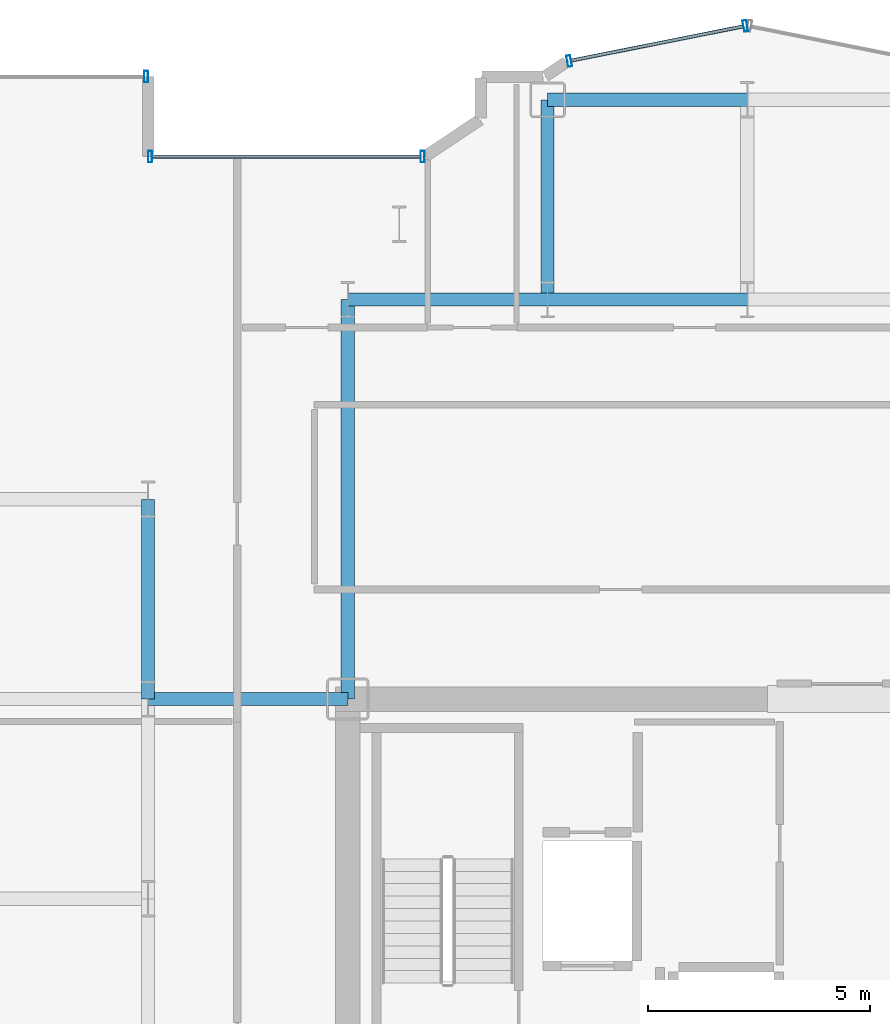
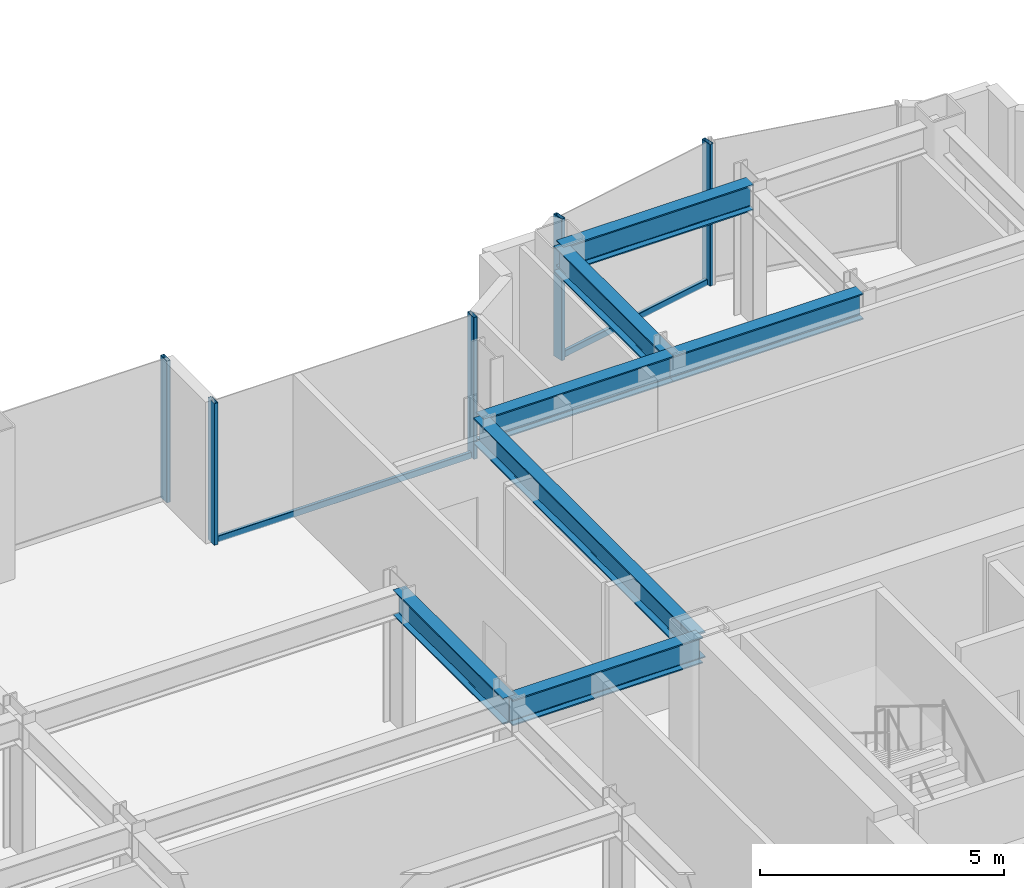
# One storey, part 11 of 23: 7 beams, 7 members, 3 elements without a shape of their own.
"""IFC4 building model written with IfcOpenShell, lengths in metres."""

from ifc_helpers import new_model, si_unit, direction, frame, origin, origin_2d, place, context, subcontext, project, spatial, hollow_rectangle, i_section, extrude, source, transform, mapped, material, layer, layer_set, material_profile, profile_set, type_object, element, aggregate, save


model = new_model("IFC4")

# Units and contexts
model_context = context("Model", 3, precision=1e-05, world=origin(), true_north=direction((0.0, 1.0)))
body_context = subcontext(model_context, "Body", "Model", "MODEL_VIEW")
ifc_project = project(units=[si_unit("LENGTHUNIT", "METRE"), si_unit("AREAUNIT", "SQUARE_METRE"), si_unit("VOLUMEUNIT", "CUBIC_METRE"), si_unit("PLANEANGLEUNIT", "RADIAN"), si_unit("MASSUNIT", "GRAM", prefix="KILO")], contexts=[model_context])

# Site, building, storey
site_placement = place(None, origin())
site = spatial("IfcSite", under=ifc_project, at=site_placement, CompositionType="ELEMENT")
building_placement = place(site_placement, origin())
building = spatial("IfcBuilding", under=site, at=building_placement, Name="Nefas-Gora Pilgrimage Tower", CompositionType="ELEMENT")
storey_placement = place(building_placement, frame((0.0, 0.0, 175.39990234375)))
storey = spatial("IfcBuildingStorey", under=building, at=storey_placement, Name="L43", CompositionType="ELEMENT", Elevation=175.39990234375)

# Beams
ifc_material_1 = material(Name="Steel S355", Category="steel")
ifc_material_profile_1 = material_profile(ifc_material_1, i_section(OverallWidth=0.300048828125, OverallDepth=0.64990234375, WebThickness=0.01611328125, FlangeThickness=0.031005859375, FilletRadius=0.027099609375, at=origin_2d()), Name="HEB 650")
ifc_profile_set_1 = profile_set([ifc_material_profile_1], Name="Steel S355")
beam_type = type_object("IfcBeamType", Name="BM-GIR-HEB650", PredefinedType="BEAM", material=ifc_profile_set_1)
shared_shape_1 = source(origin(), body_context, "Body", "SweptSolid", [
    extrude(i_section(OverallWidth=0.300048828125, OverallDepth=0.64990234375, WebThickness=0.01611328125, FlangeThickness=0.031005859375, FilletRadius=0.027099609375, at=origin_2d()), origin(), (0.0, 0.0, 1.0), 9.0),
])
beam_placement = place(storey_placement, frame((-11.25, 9.0, 3.22509765625), z_axis=(0.0, 1.0, 0.0), x_axis=(-1.0, 0.0, 0.0)))
element("IfcBeam", 1, at=beam_placement, inside=storey, type_object=beam_type, Name="L43 G-03 beam", PredefinedType="BEAM", context=body_context, shape_type="MappedRepresentation", body=[
    mapped(shared_shape_1, transform((0.0, 0.0, 0.0), x_axis=(1.0, 0.0, 0.0), y_axis=(0.0, 1.0, 0.0), z_axis=(0.0, 0.0, 1.0), scale=1.0)),
])
shared_shape_2 = source(origin(), body_context, "Body", "SweptSolid", [
    extrude(i_section(OverallWidth=0.300048828125, OverallDepth=0.64990234375, WebThickness=0.01611328125, FlangeThickness=0.031005859375, FilletRadius=0.027099609375, at=origin_2d()), origin(), (0.0, 0.0, 1.0), 4.5),
])
for number, where, z_axis, x_axis, name in (
    (2, (-15.75, 9.0, 3.22509765625), (0.0, 1.0, 0.0), (-1.0, 0.0, 0.0), "L43 G-03 beam"),
    (3, (-15.75, 9.0, 3.22509765625), (1.0, 0.0, 0.0), (0.0, 1.0, 0.0), "L43 G-03 beam"),
    (4, (-11.25, 18.0, 3.22509765625), (1.0, 0.0, 0.0), (0.0, 1.0, 0.0), "L43 G-03 beam"),
    (5, (-6.75, 18.0, 3.22509765625), (0.0, 1.0, 0.0), (-1.0, 0.0, 0.0), "L43 G-03 beam"),
    (6, (-6.75, 18.0, 3.22509765625), (1.0, 0.0, 0.0), (0.0, 1.0, 0.0), "L43 G-03 beam"),
    (7, (-6.75, 22.5, 3.22509765625), (1.0, 0.0, 0.0), (0.0, 1.0, 0.0), "L43 G-03 beam"),
):
    element("IfcBeam", number, at=place(storey_placement, frame(where, z_axis=z_axis, x_axis=x_axis)), inside=storey, type_object=beam_type, Name=name, PredefinedType="BEAM", context=body_context, shape_type="MappedRepresentation", body=[
        mapped(shared_shape_2, transform((0.0, 0.0, 0.0), x_axis=(1.0, 0.0, 0.0), y_axis=(0.0, 1.0, 0.0), z_axis=(0.0, 0.0, 1.0), scale=1.0)),
    ])

# Curtain wall, members
ifc_material_2 = material(Name="Dark ceramic-fritted solar-control aluminium-glass curtain wall", Category="aluminium")
ifc_layer_1 = layer(ifc_material_2, 0.219970703125)
ifc_layer_set_1 = layer_set([ifc_layer_1], Name="Dark ceramic-fritted solar-control aluminium-glass curtain wall")
curtain_wall_type_1 = type_object("IfcCurtainWallType", Name="CW-SYS-5", PredefinedType="NOTDEFINED", material=ifc_layer_set_1)
curtain_wall_1_placement = place(storey_placement, origin())
curtain_wall_1 = element("IfcCurtainWall", 8, at=curtain_wall_1_placement, inside=storey, type_object=curtain_wall_type_1, Name="L43 Unitised Curtain Wall CW5", PredefinedType="NOTDEFINED")
ifc_material_3 = material(Name="Anodised architectural aluminium", Category="aluminium")
ifc_material_profile_2 = material_profile(ifc_material_3, hollow_rectangle(XDim=0.090087890625, YDim=0.260009765625, WallThickness=0.006103515625, InnerFilletRadius=0.006103515625, OuterFilletRadius=0.011962890625, at=origin_2d()), Name="ALU MULLION 90x260")
ifc_profile_set_2 = profile_set([ifc_material_profile_2], Name="Anodised architectural aluminium")
member_type_1 = type_object("IfcMemberType", Name="CWM-MUL-5", PredefinedType="MULLION", material=ifc_profile_set_2)
shared_shape_3 = source(origin(), body_context, "Body", "SweptSolid", [
    extrude(hollow_rectangle(XDim=0.090087890625, YDim=0.260009765625, WallThickness=0.006103515625, InnerFilletRadius=0.006103515625, OuterFilletRadius=0.011962890625, at=origin_2d()), origin(), (0.0, 0.0, 1.0), 3.550048828125),
])
member_1_placement = place(storey_placement, frame((-2.294189453125, 24.16357421875, 0.0), z_axis=(0.0, 0.0, 1.0), x_axis=(-0.980782896852, -0.195102304554, 0.0)))
member_1 = element("IfcMember", 9, at=member_1_placement, type_object=member_type_1, Name="CW5 Mullion 1", PredefinedType="MULLION", context=body_context, shape_type="MappedRepresentation", body=[
    mapped(shared_shape_3, transform((0.0, 0.0, 0.0), x_axis=(1.0, 0.0, 0.0), y_axis=(0.0, 1.0, 0.0), z_axis=(0.0, 0.0, 1.0), scale=1.0)),
])
member_2_placement = place(storey_placement, frame((-6.26318359375, 23.3740234375, 0.0), z_axis=(0.0, 0.0, 1.0), x_axis=(-0.980782896852, -0.195102304554, 0.0)))
member_2 = element("IfcMember", 10, at=member_2_placement, type_object=member_type_1, Name="CW5 Mullion 2", PredefinedType="MULLION", context=body_context, shape_type="MappedRepresentation", body=[
    mapped(shared_shape_3, transform((0.0, 0.0, 0.0), x_axis=(1.0, 0.0, 0.0), y_axis=(0.0, 1.0, 0.0), z_axis=(0.0, 0.0, 1.0), scale=1.0)),
])

curtain_wall_2_placement = place(storey_placement, origin())
curtain_wall_2 = element("IfcCurtainWall", 11, at=curtain_wall_2_placement, inside=storey, type_object=curtain_wall_type_1, Name="L43 Unitised Curtain Wall CW5", PredefinedType="NOTDEFINED")
member_3_placement = place(storey_placement, frame((-9.56298828125, 21.219970703125, 0.0), z_axis=(0.0, 0.0, 1.0), x_axis=(-1.0, 0.0, 0.0)))
member_3 = element("IfcMember", 12, at=member_3_placement, type_object=member_type_1, Name="CW5 Mullion 1", PredefinedType="MULLION", context=body_context, shape_type="MappedRepresentation", body=[
    mapped(shared_shape_3, transform((0.0, 0.0, 0.0), x_axis=(1.0, 0.0, 0.0), y_axis=(0.0, 1.0, 0.0), z_axis=(0.0, 0.0, 1.0), scale=1.0)),
])
member_4_placement = place(storey_placement, frame((-15.705078125, 21.219970703125, 0.0), z_axis=(0.0, 0.0, 1.0), x_axis=(-1.0, 0.0, 0.0)))
member_4 = element("IfcMember", 13, at=member_4_placement, type_object=member_type_1, Name="CW5 Mullion 2", PredefinedType="MULLION", context=body_context, shape_type="MappedRepresentation", body=[
    mapped(shared_shape_3, transform((0.0, 0.0, 0.0), x_axis=(1.0, 0.0, 0.0), y_axis=(0.0, 1.0, 0.0), z_axis=(0.0, 0.0, 1.0), scale=1.0)),
])
ifc_material_profile_3 = material_profile(ifc_material_3, hollow_rectangle(XDim=0.080078125, YDim=0.159912109375, WallThickness=0.00439453125, InnerFilletRadius=0.00439453125, OuterFilletRadius=0.009033203125, at=origin_2d()), Name="ALU TRANSOM 80x160")
ifc_profile_set_3 = profile_set([ifc_material_profile_3], Name="Anodised architectural aluminium")
member_type_2 = type_object("IfcMemberType", Name="CWM-TRN-5", PredefinedType="USERDEFINED", material=ifc_profile_set_3)
shared_shape_4 = source(origin(), body_context, "Body", "SweptSolid", [
    extrude(hollow_rectangle(XDim=0.080078125, YDim=0.159912109375, WallThickness=0.00439453125, InnerFilletRadius=0.00439453125, OuterFilletRadius=0.009033203125, at=origin_2d()), origin(), (0.0, 0.0, 1.0), 6.052001953125),
])
member_5_placement = place(storey_placement, frame((-9.60791015625, 21.219970703125, 0.050048828125), z_axis=(-1.0, 0.0, 0.0), x_axis=(0.0, -1.0, 0.0)))
member_5 = element("IfcMember", 14, at=member_5_placement, type_object=member_type_2, Name="CW5 Spandrel Transom", ObjectType="TRANSOM", PredefinedType="USERDEFINED", context=body_context, shape_type="MappedRepresentation", body=[
    mapped(shared_shape_4, transform((0.0, 0.0, 0.0), x_axis=(1.0, 0.0, 0.0), y_axis=(0.0, 1.0, 0.0), z_axis=(0.0, 0.0, 1.0), scale=1.0)),
])
aggregate(curtain_wall_2, [member_3, member_4, member_5])

# Member
shared_shape_5 = source(origin(), body_context, "Body", "SweptSolid", [
    extrude(hollow_rectangle(XDim=0.080078125, YDim=0.159912109375, WallThickness=0.00439453125, InnerFilletRadius=0.00439453125, OuterFilletRadius=0.009033203125, at=origin_2d()), origin(), (0.0, 0.0, 1.0), 3.95654296875),
])
member_6_placement = place(storey_placement, frame((-2.33837890625, 24.15478515625, 0.050048828125), z_axis=(-0.980781880918, -0.195107411605, 0.0), x_axis=(0.195107411605, -0.980781880918, 0.0)))
member_6 = element("IfcMember", 15, at=member_6_placement, type_object=member_type_2, Name="CW5 Spandrel Transom", ObjectType="TRANSOM", PredefinedType="USERDEFINED", context=body_context, shape_type="MappedRepresentation", body=[
    mapped(shared_shape_5, transform((0.0, 0.0, 0.0), x_axis=(1.0, 0.0, 0.0), y_axis=(0.0, 1.0, 0.0), z_axis=(0.0, 0.0, 1.0), scale=1.0)),
])

aggregate(curtain_wall_1, [member_1, member_2, member_6])

# Curtain wall, member
ifc_layer_2 = layer(ifc_material_2, 0.219970703125)
ifc_layer_set_2 = layer_set([ifc_layer_2], Name="Dark ceramic-fritted solar-control aluminium-glass curtain wall")
curtain_wall_type_2 = type_object("IfcCurtainWallType", Name="CW-SYS-3", PredefinedType="NOTDEFINED", material=ifc_layer_set_2)
curtain_wall_3_placement = place(storey_placement, origin())
curtain_wall_3 = element("IfcCurtainWall", 16, at=curtain_wall_3_placement, inside=storey, type_object=curtain_wall_type_2, Name="L43 Unitised Curtain Wall CW3", PredefinedType="NOTDEFINED")
ifc_material_profile_4 = material_profile(ifc_material_3, hollow_rectangle(XDim=0.090087890625, YDim=0.260009765625, WallThickness=0.006103515625, InnerFilletRadius=0.006103515625, OuterFilletRadius=0.011962890625, at=origin_2d()), Name="ALU MULLION 90x260")
ifc_profile_set_4 = profile_set([ifc_material_profile_4], Name="Anodised architectural aluminium")
member_type_3 = type_object("IfcMemberType", Name="CWM-MUL-3", PredefinedType="MULLION", material=ifc_profile_set_4)
shared_shape_6 = source(origin(), body_context, "Body", "SweptSolid", [
    extrude(hollow_rectangle(XDim=0.090087890625, YDim=0.260009765625, WallThickness=0.006103515625, InnerFilletRadius=0.006103515625, OuterFilletRadius=0.011962890625, at=origin_2d()), origin(), (0.0, 0.0, 1.0), 3.550048828125),
])
member_7_placement = place(storey_placement, frame((-15.794921875, 23.02001953125, 0.0), z_axis=(0.0, 0.0, 1.0), x_axis=(-1.0, 0.0, 0.0)))
member_7 = element("IfcMember", 17, at=member_7_placement, type_object=member_type_3, Name="CW3 Mullion 1", PredefinedType="MULLION", context=body_context, shape_type="MappedRepresentation", body=[
    mapped(shared_shape_6, transform((0.0, 0.0, 0.0), x_axis=(1.0, 0.0, 0.0), y_axis=(0.0, 1.0, 0.0), z_axis=(0.0, 0.0, 1.0), scale=1.0)),
])
aggregate(curtain_wall_3, [member_7])

save(model, "model.ifc")
